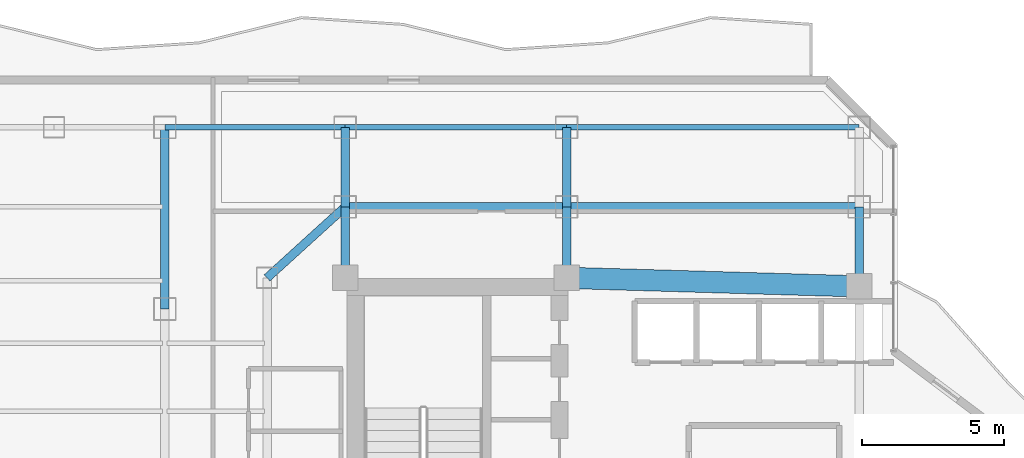
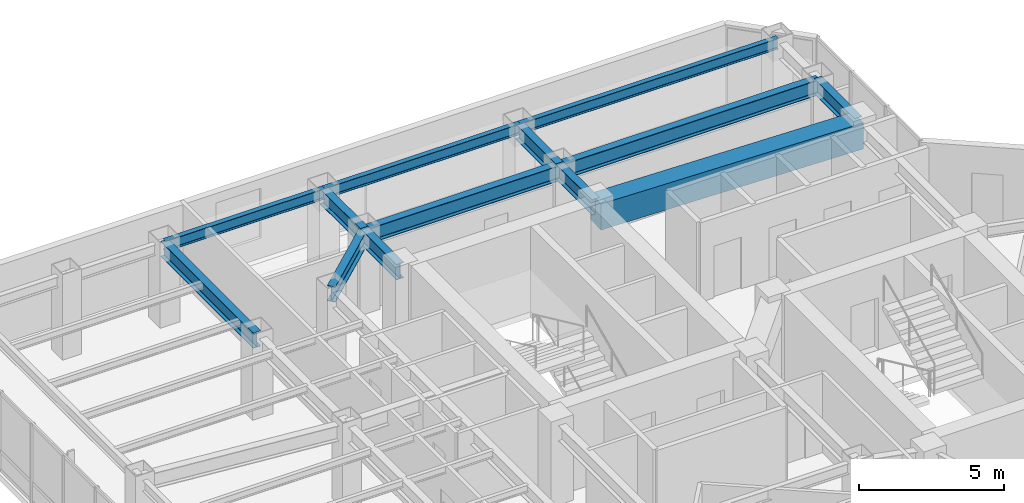
# One storey, part 18 of 28: 13 beams.
"""IFC4 building model written with IfcOpenShell, lengths in metres."""

from ifc_helpers import new_model, si_unit, direction, frame, origin, origin_2d, place, context, subcontext, project, spatial, rectangle, i_section, extrude, material, material_profile, profile_set, type_object, element, save


model = new_model("IFC4")

# Units and contexts
model_context = context("Model", 3, precision=1e-05, world=origin(), true_north=direction((0.0, 1.0)))
body_context = subcontext(model_context, "Body", "Model", "MODEL_VIEW")
ifc_project = project(units=[si_unit("LENGTHUNIT", "METRE"), si_unit("AREAUNIT", "SQUARE_METRE"), si_unit("VOLUMEUNIT", "CUBIC_METRE"), si_unit("PLANEANGLEUNIT", "RADIAN"), si_unit("MASSUNIT", "GRAM", prefix="KILO")], contexts=[model_context])

# Site, building, storey
site_placement = place(None, origin())
site = spatial("IfcSite", under=ifc_project, at=site_placement, CompositionType="ELEMENT")
building_placement = place(site_placement, origin())
building = spatial("IfcBuilding", under=site, at=building_placement, Name="Hatsunagi Terrace Concourse", CompositionType="ELEMENT")
storey_placement = place(building_placement, frame((0.0, 0.0, 170.85009765625)))
storey = spatial("IfcBuildingStorey", under=building, at=storey_placement, Name="L45", CompositionType="ELEMENT", Elevation=170.85009765625)

# Beams
ifc_material_1 = material(Name="Concrete Fc48", Category="concrete")
ifc_material_profile_1 = material_profile(ifc_material_1, rectangle(XDim=0.75, YDim=1.10009765625, at=origin_2d()), Name="RC-750x1100")
ifc_profile_set_1 = profile_set([ifc_material_profile_1], Name="Concrete Fc48")
beam_type_1 = type_object("IfcBeamType", Name="CoreCouplingBeam_RC_750x1100", PredefinedType="BEAM", material=ifc_profile_set_1)
beam_1_placement = place(storey_placement, frame((33.35009765625, 43.300048828125, 2.7998046875), z_axis=(0.999575947545, -0.029119153303, 0.0), x_axis=(0.029119153303, 0.999575947545, 0.0)))
element("IfcBeam", 1, at=beam_1_placement, inside=storey, type_object=beam_type_1, Name="Beam CB-02 CB-L45-2", PredefinedType="BEAM", context=body_context, shape_type="SweptSolid", body=[
    extrude(rectangle(XDim=0.75, YDim=1.10009765625, at=origin_2d()), origin(), (0.0, 0.0, 1.0), 10.30419921875),
])
ifc_material_2 = material(Name="Steel SN490B", Category="steel")
ifc_material_profile_2 = material_profile(ifc_material_2, i_section(OverallWidth=0.300048828125, OverallDepth=0.64990234375, WebThickness=0.012939453125, FlangeThickness=0.02197265625, FilletRadius=0.01806640625, at=origin_2d()), Name="H-650x300x13x22")
ifc_profile_set_2 = profile_set([ifc_material_profile_2], Name="Steel SN490B")
beam_type_2 = type_object("IfcBeamType", Name="OfficeLowGirder_H_650x300", PredefinedType="BEAM", material=ifc_profile_set_2)
for number, where, z_axis, x_axis, name in (
    (2, (25.550048828125, 43.300048828125, 3.02490234375), (0.0, 1.0, 0.0), (-1.0, 0.0, 0.0), "Beam G-05 BM-L45-CN1"),
    (3, (33.35009765625, 43.300048828125, 3.02490234375), (0.0, 1.0, 0.0), (-1.0, 0.0, 0.0), "Beam G-05 BM-L45-CN2"),
):
    element("IfcBeam", number, at=place(storey_placement, frame(where, z_axis=z_axis, x_axis=x_axis)), inside=storey, type_object=beam_type_2, Name=name, PredefinedType="BEAM", context=body_context, shape_type="SweptSolid", body=[
        extrude(i_section(OverallWidth=0.300048828125, OverallDepth=0.64990234375, WebThickness=0.012939453125, FlangeThickness=0.02197265625, FilletRadius=0.01806640625, at=origin_2d()), origin(), (0.0, 0.0, 1.0), 2.5),
    ])
beam_2_placement = place(storey_placement, frame((43.64990234375, 43.0, 3.02490234375), z_axis=(0.0, 1.0, 0.0), x_axis=(-1.0, 0.0, 0.0)))
element("IfcBeam", 4, at=beam_2_placement, inside=storey, type_object=beam_type_2, Name="Beam G-05 BM-L45-CN3", PredefinedType="BEAM", context=body_context, shape_type="SweptSolid", body=[
    extrude(i_section(OverallWidth=0.300048828125, OverallDepth=0.64990234375, WebThickness=0.012939453125, FlangeThickness=0.02197265625, FilletRadius=0.01806640625, at=origin_2d()), origin(), (0.0, 0.0, 1.0), 2.800048828125),
])
beam_3_placement = place(storey_placement, frame((25.550048828125, 45.800048828125, 3.02490234375), z_axis=(1.0, 0.0, 0.0), x_axis=(0.0, 1.0, 0.0)))
element("IfcBeam", 5, at=beam_3_placement, inside=storey, type_object=beam_type_2, Name="Beam G-05 BM-L45-CNEW1", PredefinedType="BEAM", context=body_context, shape_type="SweptSolid", body=[
    extrude(i_section(OverallWidth=0.300048828125, OverallDepth=0.64990234375, WebThickness=0.012939453125, FlangeThickness=0.02197265625, FilletRadius=0.01806640625, at=origin_2d()), origin(), (0.0, 0.0, 1.0), 7.800048828125),
])
beam_4_placement = place(storey_placement, frame((33.35009765625, 45.800048828125, 3.02490234375), z_axis=(1.0, 0.0, 0.0), x_axis=(0.0, 1.0, 0.0)))
element("IfcBeam", 6, at=beam_4_placement, inside=storey, type_object=beam_type_2, Name="Beam G-05 BM-L45-CNEW2", PredefinedType="BEAM", context=body_context, shape_type="SweptSolid", body=[
    extrude(i_section(OverallWidth=0.300048828125, OverallDepth=0.64990234375, WebThickness=0.012939453125, FlangeThickness=0.02197265625, FilletRadius=0.01806640625, at=origin_2d()), origin(), (0.0, 0.0, 1.0), 10.2998046875),
])
for number, where, z_axis, x_axis, name in (
    (7, (25.550048828125, 45.800048828125, 3.02490234375), (0.0, 1.0, 0.0), (-1.0, 0.0, 0.0), "Beam G-05 BM-L45-KN-WN4"),
    (8, (33.35009765625, 45.800048828125, 3.02490234375), (0.0, 1.0, 0.0), (-1.0, 0.0, 0.0), "Beam G-05 BM-L45-KN-WN5"),
):
    element("IfcBeam", number, at=place(storey_placement, frame(where, z_axis=z_axis, x_axis=x_axis)), inside=storey, type_object=beam_type_2, Name=name, PredefinedType="BEAM", context=body_context, shape_type="SweptSolid", body=[
        extrude(i_section(OverallWidth=0.300048828125, OverallDepth=0.64990234375, WebThickness=0.012939453125, FlangeThickness=0.02197265625, FilletRadius=0.01806640625, at=origin_2d()), origin(), (0.0, 0.0, 1.0), 2.800048828125),
    ])
beam_5_placement = place(storey_placement, frame((22.800048828125, 43.300048828125, 3.02490234375), z_axis=(0.739940073396, 0.672672793996, 0.0), x_axis=(-0.672672793996, 0.739940073396, 0.0)))
element("IfcBeam", 9, at=beam_5_placement, inside=storey, type_object=beam_type_2, Name="Beam G-05 BM-L45-CWEW-N", PredefinedType="BEAM", context=body_context, shape_type="SweptSolid", body=[
    extrude(i_section(OverallWidth=0.300048828125, OverallDepth=0.64990234375, WebThickness=0.012939453125, FlangeThickness=0.02197265625, FilletRadius=0.01806640625, at=origin_2d()), origin(), (0.0, 0.0, 1.0), 3.716552734375),
])
beam_6_placement = place(storey_placement, frame((19.199951171875, 42.199951171875, 3.02490234375), z_axis=(0.0, 1.0, 0.0), x_axis=(-1.0, 0.0, 0.0)))
element("IfcBeam", 10, at=beam_6_placement, inside=storey, type_object=beam_type_2, Name="Beam G-05 BM-L45-NS-19-42", PredefinedType="BEAM", context=body_context, shape_type="SweptSolid", body=[
    extrude(i_section(OverallWidth=0.300048828125, OverallDepth=0.64990234375, WebThickness=0.012939453125, FlangeThickness=0.02197265625, FilletRadius=0.01806640625, at=origin_2d()), origin(), (0.0, 0.0, 1.0), 6.400146484375),
])
ifc_material_3 = material(Name="Steel SN490B", Category="steel")
ifc_material_profile_3 = material_profile(ifc_material_3, i_section(OverallWidth=0.199951171875, OverallDepth=0.449951171875, WebThickness=0.009033203125, FlangeThickness=0.013916015625, FilletRadius=0.01611328125, at=origin_2d()), Name="H-450x200x9x14")
ifc_profile_set_3 = profile_set([ifc_material_profile_3], Name="Steel SN490B")
beam_type_3 = type_object("IfcBeamType", Name="PerimeterSpandrel_H_450x200", PredefinedType="SPANDREL", material=ifc_profile_set_3)
beam_7_placement = place(storey_placement, frame((19.199951171875, 48.60009765625, 3.125), z_axis=(1.0, 0.0, 0.0), x_axis=(0.0, 1.0, 0.0)))
element("IfcBeam", 11, at=beam_7_placement, inside=storey, type_object=beam_type_3, Name="Beam SP-02 BM-L45-WN-19", PredefinedType="SPANDREL", context=body_context, shape_type="SweptSolid", body=[
    extrude(i_section(OverallWidth=0.199951171875, OverallDepth=0.449951171875, WebThickness=0.009033203125, FlangeThickness=0.013916015625, FilletRadius=0.01611328125, at=origin_2d()), origin(), (0.0, 0.0, 1.0), 6.35009765625),
])
beam_8_placement = place(storey_placement, frame((25.550048828125, 48.60009765625, 3.125), z_axis=(1.0, 0.0, 0.0), x_axis=(0.0, 1.0, 0.0)))
element("IfcBeam", 12, at=beam_8_placement, inside=storey, type_object=beam_type_3, Name="Beam SP-02 BM-L45-WN-25", PredefinedType="SPANDREL", context=body_context, shape_type="SweptSolid", body=[
    extrude(i_section(OverallWidth=0.199951171875, OverallDepth=0.449951171875, WebThickness=0.009033203125, FlangeThickness=0.013916015625, FilletRadius=0.01611328125, at=origin_2d()), origin(), (0.0, 0.0, 1.0), 7.800048828125),
])
beam_9_placement = place(storey_placement, frame((33.35009765625, 48.60009765625, 3.125), z_axis=(1.0, 0.0, 0.0), x_axis=(0.0, 1.0, 0.0)))
element("IfcBeam", 13, at=beam_9_placement, inside=storey, type_object=beam_type_3, Name="Beam SP-02 BM-L45-WN-33", PredefinedType="SPANDREL", context=body_context, shape_type="SweptSolid", body=[
    extrude(i_section(OverallWidth=0.199951171875, OverallDepth=0.449951171875, WebThickness=0.009033203125, FlangeThickness=0.013916015625, FilletRadius=0.01611328125, at=origin_2d()), origin(), (0.0, 0.0, 1.0), 10.2998046875),
])

save(model, "model.ifc")
